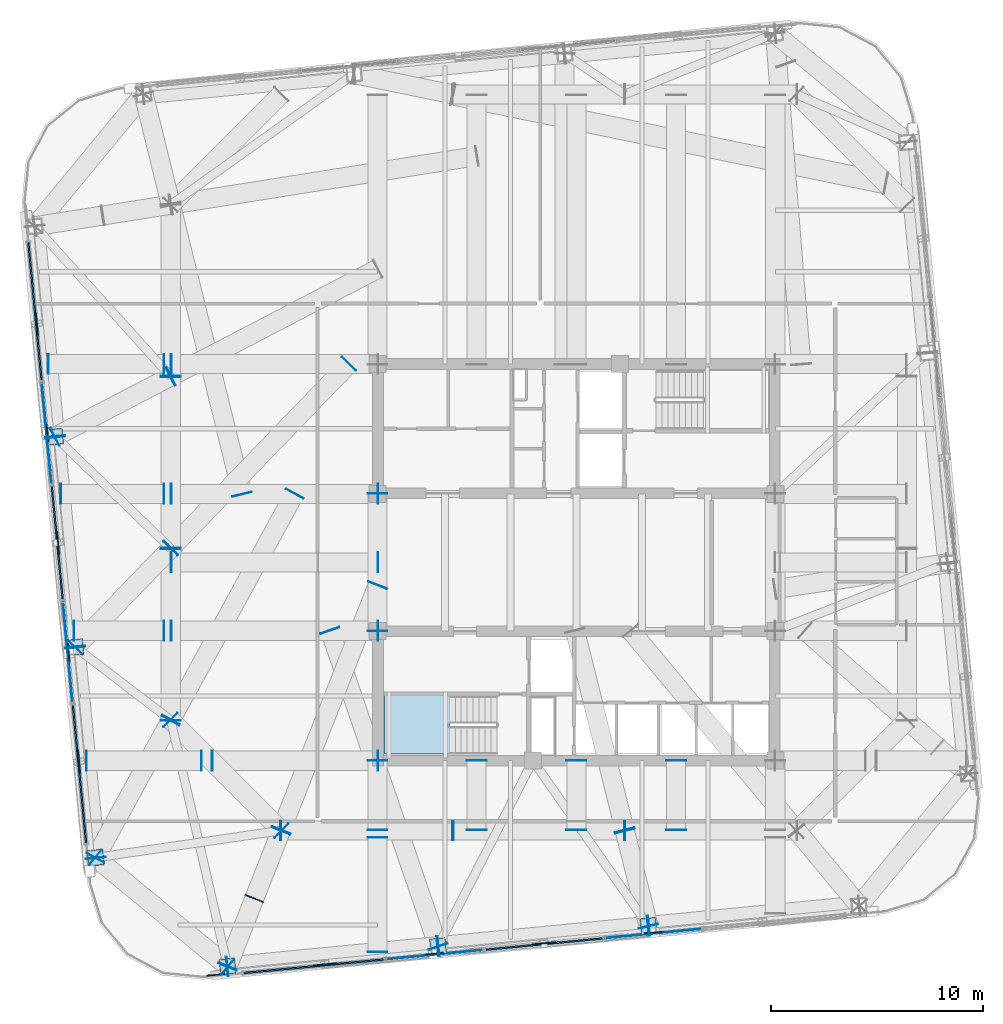
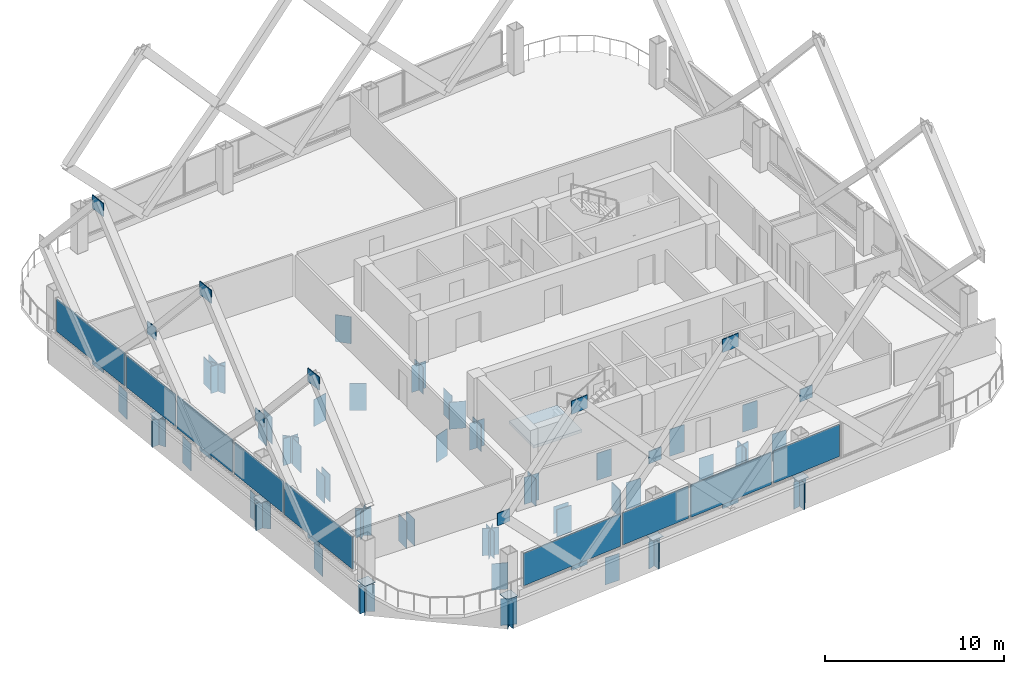
# One storey, part 29 of 37: 106 plates, 1 slab, 10 elements without a shape of their own.
"""IFC4 building model written with IfcOpenShell, lengths in metres."""

from ifc_helpers import new_model, si_unit, direction, frame, origin, origin_2d, place, context, subcontext, project, spatial, polyline, rectangle, outline, extrude, material, layer, layer_set, type_object, element, aggregate, save


model = new_model("IFC4")

# Units and contexts
model_context = context("Model", 3, precision=1e-05, world=origin(), true_north=direction((0.0, 1.0)))
body_context = subcontext(model_context, "Body", "Model", "MODEL_VIEW")
ifc_project = project(units=[si_unit("LENGTHUNIT", "METRE"), si_unit("AREAUNIT", "SQUARE_METRE"), si_unit("VOLUMEUNIT", "CUBIC_METRE"), si_unit("PLANEANGLEUNIT", "RADIAN"), si_unit("MASSUNIT", "GRAM", prefix="KILO")], contexts=[model_context])

# Site, building, storey
site_placement = place(None, origin())
site = spatial("IfcSite", under=ifc_project, at=site_placement, CompositionType="ELEMENT")
building_placement = place(site_placement, origin())
building = spatial("IfcBuilding", under=site, at=building_placement, Name="Qhalaya Broadcast Tower", CompositionType="ELEMENT")
storey_placement = place(building_placement, frame((0.0, 0.0, 156.14990234375)))
storey = spatial("IfcBuildingStorey", under=building, at=storey_placement, Name="L45", CompositionType="ELEMENT", Elevation=156.14990234375)

# Plates
ifc_material_1 = material(Name="Structural Steel ASTM A572 Grade 50", Category="steel")
ifc_layer_1 = layer(ifc_material_1, 0.054931640625, Name="Structural Steel ASTM A572 Grade 50")
ifc_layer_set_1 = layer_set([ifc_layer_1], Name="Structural Steel ASTM A572 Grade 50")
plate_type_1 = type_object("IfcPlateType", Name="Exoskeleton Diamond Node Gusset Plate NP-01", PredefinedType="USERDEFINED", material=ifc_layer_set_1)
for number, where, z_axis, x_axis, name in (
    (1, (-11.84716796875, -18.346923828125, 0.210205078125), (0.0, 0.0, 1.0), (0.995396198367, 0.09584575252, 0.0), "Exoskeleton Diamond Node B4-S1-BOT"),
    (2, (-11.84716796875, -18.346923828125, 10.85009765625), (0.0, 0.0, 1.0), (0.995396198367, 0.09584575252, 0.0), "Exoskeleton Diamond Node B4-S1-TOP"),
):
    element("IfcPlate", number, at=place(storey_placement, frame(where, z_axis=z_axis, x_axis=x_axis)), inside=storey, type_object=plate_type_1, Name=name, ObjectType="GUSSET_PLATE", PredefinedType="USERDEFINED", context=body_context, shape_type="SweptSolid", body=[
        extrude(rectangle(XDim=1.10009765625, YDim=0.054931640625, at=origin_2d()), origin(), (0.0, 0.0, 1.0), 0.89990234375),
    ])
plate_1_placement = place(storey_placement, frame((-17.006591796875, -18.84375, 5.31494140625), z_axis=(0.0, 0.0, 1.0), x_axis=(0.995396198367, 0.09584575252, 0.0)))
element("IfcPlate", 3, at=plate_1_placement, inside=storey, type_object=plate_type_1, Name="Exoskeleton Diamond Node B4-S1-MDL", ObjectType="GUSSET_PLATE", PredefinedType="USERDEFINED", context=body_context, shape_type="SweptSolid", body=[
    extrude(rectangle(XDim=0.85009765625, YDim=0.054931640625, at=origin_2d()), origin(), (0.0, 0.0, 1.0), 0.85009765625),
])
for number, where, z_axis, x_axis, name in (
    (4, (-1.5283203125, -17.353515625, 0.210205078125), (0.0, 0.0, 1.0), (0.995396198367, 0.09584575252, 0.0), "Exoskeleton Diamond Node B4-S2-BOT"),
    (5, (-1.5283203125, -17.353515625, 10.85009765625), (0.0, 0.0, 1.0), (0.995396198367, 0.09584575252, 0.0), "Exoskeleton Diamond Node B4-S2-TOP"),
):
    element("IfcPlate", number, at=place(storey_placement, frame(where, z_axis=z_axis, x_axis=x_axis)), inside=storey, type_object=plate_type_1, Name=name, ObjectType="GUSSET_PLATE", PredefinedType="USERDEFINED", context=body_context, shape_type="SweptSolid", body=[
        extrude(rectangle(XDim=1.10009765625, YDim=0.054931640625, at=origin_2d()), origin(), (0.0, 0.0, 1.0), 0.89990234375),
    ])
for number, where, z_axis, x_axis, name in (
    (6, (-6.687744140625, -17.85009765625, 5.31494140625), (0.0, 0.0, 1.0), (0.995396198367, 0.09584575252, 0.0), "Exoskeleton Diamond Node B4-S2-MDL"),
    (7, (3.63134765625, -16.856689453125, 5.31494140625), (0.0, 0.0, 1.0), (0.995396198367, 0.09584575252, 0.0), "Exoskeleton Diamond Node B4-S3-MDL"),
):
    element("IfcPlate", number, at=place(storey_placement, frame(where, z_axis=z_axis, x_axis=x_axis)), inside=storey, type_object=plate_type_1, Name=name, ObjectType="GUSSET_PLATE", PredefinedType="USERDEFINED", context=body_context, shape_type="SweptSolid", body=[
        extrude(rectangle(XDim=0.85009765625, YDim=0.054931640625, at=origin_2d()), origin(), (0.0, 0.0, 1.0), 0.85009765625),
    ])
for number, where, z_axis, x_axis, name in (
    (8, (-25.427001953125, 11.84716796875, 0.210205078125), (0.0, 0.0, 1.0), (-0.09584575252, 0.995396198367, 0.0), "Exoskeleton Diamond Node B4-W1-BOT"),
    (9, (-25.427001953125, 11.84716796875, 10.85009765625), (0.0, 0.0, 1.0), (-0.09584575252, 0.995396198367, 0.0), "Exoskeleton Diamond Node B4-W1-TOP"),
    (10, (-24.433349609375, 1.5283203125, 0.210205078125), (0.0, 0.0, 1.0), (-0.09584575252, 0.995396198367, 0.0), "Exoskeleton Diamond Node B4-W2-BOT"),
    (11, (-24.433349609375, 1.5283203125, 10.85009765625), (0.0, 0.0, 1.0), (-0.09584575252, 0.995396198367, 0.0), "Exoskeleton Diamond Node B4-W2-TOP"),
):
    element("IfcPlate", number, at=place(storey_placement, frame(where, z_axis=z_axis, x_axis=x_axis)), inside=storey, type_object=plate_type_1, Name=name, ObjectType="GUSSET_PLATE", PredefinedType="USERDEFINED", context=body_context, shape_type="SweptSolid", body=[
        extrude(rectangle(XDim=1.10009765625, YDim=0.054931640625, at=origin_2d()), origin(), (0.0, 0.0, 1.0), 0.89990234375),
    ])
plate_2_placement = place(storey_placement, frame((-24.93017578125, 6.687744140625, 5.31494140625), z_axis=(0.0, 0.0, 1.0), x_axis=(-0.09584575252, 0.995396198367, 0.0)))
element("IfcPlate", 12, at=plate_2_placement, inside=storey, type_object=plate_type_1, Name="Exoskeleton Diamond Node B4-W2-MDL", ObjectType="GUSSET_PLATE", PredefinedType="USERDEFINED", context=body_context, shape_type="SweptSolid", body=[
    extrude(rectangle(XDim=0.85009765625, YDim=0.054931640625, at=origin_2d()), origin(), (0.0, 0.0, 1.0), 0.85009765625),
])
for number, where, z_axis, x_axis, name in (
    (13, (-23.439697265625, -8.790771484375, 0.210205078125), (0.0, 0.0, 1.0), (-0.09584575252, 0.995396198367, 0.0), "Exoskeleton Diamond Node B4-W3-BOT"),
    (14, (-23.439697265625, -8.790771484375, 10.85009765625), (0.0, 0.0, 1.0), (-0.09584575252, 0.995396198367, 0.0), "Exoskeleton Diamond Node B4-W3-TOP"),
):
    element("IfcPlate", number, at=place(storey_placement, frame(where, z_axis=z_axis, x_axis=x_axis)), inside=storey, type_object=plate_type_1, Name=name, ObjectType="GUSSET_PLATE", PredefinedType="USERDEFINED", context=body_context, shape_type="SweptSolid", body=[
        extrude(rectangle(XDim=1.10009765625, YDim=0.054931640625, at=origin_2d()), origin(), (0.0, 0.0, 1.0), 0.89990234375),
    ])
plate_3_placement = place(storey_placement, frame((-23.9365234375, -3.63134765625, 5.31494140625), z_axis=(0.0, 0.0, 1.0), x_axis=(-0.09584575252, 0.995396198367, 0.0)))
element("IfcPlate", 15, at=plate_3_placement, inside=storey, type_object=plate_type_1, Name="Exoskeleton Diamond Node B4-W3-MDL", ObjectType="GUSSET_PLATE", PredefinedType="USERDEFINED", context=body_context, shape_type="SweptSolid", body=[
    extrude(rectangle(XDim=0.85009765625, YDim=0.054931640625, at=origin_2d()), origin(), (0.0, 0.0, 1.0), 0.85009765625),
])
ifc_layer_2 = layer(ifc_material_1, 0.4599609375, Name="Structural Steel ASTM A572 Grade 50")
ifc_layer_set_2 = layer_set([ifc_layer_2], Name="Structural Steel ASTM A572 Grade 50")
plate_type_2 = type_object("IfcPlateType", Name="Hollow Box Member End Cap Plate CP-01", PredefinedType="USERDEFINED", material=ifc_layer_set_2)
for number, where, z_axis, x_axis, name in (
    (16, (-16.4580078125, -18.44921875, -2.0400390625), (0.0, 0.0, 1.0), (-0.09584575252, 0.995396198367, 0.0), "L45 Hollow Girder End Cap L45-SPR-01-A"),
    (17, (-6.50537109375, -17.4912109375, -2.0400390625), (0.0, 0.0, 1.0), (-0.09584575252, 0.995396198367, 0.0), "L45 Hollow Girder End Cap L45-SPR-01-B"),
    (18, (-6.537109375, -17.494140625, -2.0400390625), (0.0, 0.0, 1.0), (-0.09584575252, 0.995396198367, 0.0), "L45 Hollow Girder End Cap L45-SPR-02-A"),
    (19, (3.41552734375, -16.535888671875, -2.0400390625), (0.0, 0.0, 1.0), (-0.09584575252, 0.995396198367, 0.0), "L45 Hollow Girder End Cap L45-SPR-02-B"),
    (20, (3.3837890625, -16.538818359375, -2.0400390625), (0.0, 0.0, 1.0), (-0.09584575252, 0.995396198367, 0.0), "L45 Hollow Girder End Cap L45-SPR-03-A"),
    (21, (-24.571044921875, 6.50537109375, -2.0400390625), (0.0, 0.0, 1.0), (0.995396198367, 0.09584575252, 0.0), "L45 Hollow Girder End Cap L45-SPR-13-B"),
    (22, (-24.57421875, 6.537109375, -2.0400390625), (0.0, 0.0, 1.0), (0.995396198367, 0.09584575252, 0.0), "L45 Hollow Girder End Cap L45-SPR-14-A"),
    (23, (-23.61572265625, -3.41552734375, -2.0400390625), (0.0, 0.0, 1.0), (0.995396198367, 0.09584575252, 0.0), "L45 Hollow Girder End Cap L45-SPR-14-B"),
    (24, (-23.618896484375, -3.3837890625, -2.0400390625), (0.0, 0.0, 1.0), (0.995396198367, 0.09584575252, 0.0), "L45 Hollow Girder End Cap L45-SPR-15-A"),
    (25, (-22.660400390625, -13.336181640625, -2.0400390625), (0.0, 0.0, 1.0), (0.995396198367, 0.09584575252, 0.0), "L45 Hollow Girder End Cap L45-SPR-15-B"),
    (26, (-22.67431640625, -13.310302734375, -2.0400390625), (0.0, 0.0, 1.0), (0.636078220278, 0.771624583388, 0.0), "L45 Hollow Girder End Cap L45-SPR-16-A"),
    (27, (-16.4296875, -18.4580078125, -2.0400390625), (0.0, 0.0, 1.0), (0.636078220278, 0.771624583388, 0.0), "L45 Hollow Girder End Cap L45-SPR-16-B"),
    (28, (-13.93603515625, -12.0400390625, -2.0400390625), (0.0, 0.0, 1.0), (0.0, 1.0, 0.0), "L45 Hollow Girder End Cap L45-TGL-01-A"),
    (29, (-5.803955078125, -12.0400390625, -2.0400390625), (0.0, 0.0, 1.0), (0.0, 1.0, 0.0), "L45 Hollow Girder End Cap L45-TGL-01-B"),
    (30, (-5.8359375, -12.0400390625, -2.0400390625), (0.0, 0.0, 1.0), (0.0, 1.0, 0.0), "L45 Hollow Girder End Cap L45-TGL-02-A"),
    (31, (2.2958984375, -12.0400390625, -2.0400390625), (0.0, 0.0, 1.0), (0.0, 1.0, 0.0), "L45 Hollow Girder End Cap L45-TGL-02-B"),
    (32, (2.263916015625, -12.0400390625, -2.0400390625), (0.0, 0.0, 1.0), (0.0, 1.0, 0.0), "L45 Hollow Girder End Cap L45-TGL-03-A"),
    (33, (-19.1201171875, 9.343994140625, -2.0400390625), (0.0, 0.0, 1.0), (1.0, 0.0, 0.0), "L45 Hollow Girder End Cap L45-TGL-13-B"),
    (34, (-19.1201171875, 9.3759765625, -2.0400390625), (0.0, 0.0, 1.0), (1.0, 0.0, 0.0), "L45 Hollow Girder End Cap L45-TGL-14-A"),
    (35, (-19.1201171875, 1.243896484375, -2.0400390625), (0.0, 0.0, 1.0), (1.0, 0.0, 0.0), "L45 Hollow Girder End Cap L45-TGL-14-B"),
    (36, (-19.1201171875, 1.27587890625, -2.0400390625), (0.0, 0.0, 1.0), (1.0, 0.0, 0.0), "L45 Hollow Girder End Cap L45-TGL-15-A"),
    (37, (-19.1201171875, -6.85595703125, -2.0400390625), (0.0, 0.0, 1.0), (1.0, 0.0, 0.0), "L45 Hollow Girder End Cap L45-TGL-15-B"),
    (38, (-19.13134765625, -6.82861328125, -2.0400390625), (0.0, 0.0, 1.0), (0.707106781187, 0.707106781187, 0.0), "L45 Hollow Girder End Cap L45-TGL-16-A"),
    (39, (-13.90869140625, -12.05126953125, -2.0400390625), (0.0, 0.0, 1.0), (0.707106781187, 0.707106781187, 0.0), "L45 Hollow Girder End Cap L45-TGL-16-B"),
    (40, (0.0, -12.01611328125, -2.0400390625), (0.0, 0.0, 1.0), (-1.0, 0.0, 0.0), "L45 Hollow Girder End Cap L45-TGIMS-1-A"),
    (41, (0.0, -8.73388671875, -2.0400390625), (0.0, 0.0, 1.0), (-1.0, 0.0, 0.0), "L45 Hollow Girder End Cap L45-TGIMS-1-B"),
    (42, (-4.699951171875, -12.01611328125, -2.0400390625), (0.0, 0.0, 1.0), (-1.0, 0.0, 0.0), "L45 Hollow Girder End Cap L45-TGIMSW-1-A"),
    (43, (-4.699951171875, -8.73388671875, -2.0400390625), (0.0, 0.0, 1.0), (-1.0, 0.0, 0.0), "L45 Hollow Girder End Cap L45-TGIMSW-1-B"),
    (44, (4.699951171875, -12.01611328125, -2.0400390625), (0.0, 0.0, 1.0), (-1.0, 0.0, 0.0), "L45 Hollow Girder End Cap L45-TGIMSE-1-A"),
    (45, (4.699951171875, -8.73388671875, -2.0400390625), (0.0, 0.0, 1.0), (-1.0, 0.0, 0.0), "L45 Hollow Girder End Cap L45-TGIMSE-1-B"),
    (46, (-19.095947265625, 0.60009765625, -2.0400390625), (0.0, 0.0, 1.0), (0.0, 1.0, 0.0), "L45 Hollow Girder End Cap L45-TGIYW-1-A"),
    (47, (-9.35888671875, 0.60009765625, -2.0400390625), (0.0, 0.0, 1.0), (0.0, 1.0, 0.0), "L45 Hollow Girder End Cap L45-TGIYW-1-B"),
    (48, (-9.375, -12.01611328125, -2.0400390625), (0.0, 0.0, 1.0), (-1.0, 0.0, 0.0), "L45 Hollow Girder End Cap L45-TGISW-1-A"),
    (49, (-9.375, -8.73388671875, -2.0400390625), (0.0, 0.0, 1.0), (-1.0, 0.0, 0.0), "L45 Hollow Girder End Cap L45-TGISW-1-B"),
    (50, (-9.375, -2.64111328125, -2.0400390625), (0.0, 0.0, 1.0), (-1.0, 0.0, 0.0), "L45 Hollow Girder End Cap L45-TGIMW-1-A"),
    (51, (-9.375, 3.841064453125, -2.0400390625), (0.0, 0.0, 1.0), (-1.0, 0.0, 0.0), "L45 Hollow Girder End Cap L45-TGIMW-1-B"),
    (52, (-17.16943359375, -8.75, -2.0400390625), (0.0, 0.0, 1.0), (0.0, 1.0, 0.0), "L45 Hollow Girder End Cap L45-TGIY1W-1-A"),
    (53, (-9.35888671875, -8.75, -2.0400390625), (0.0, 0.0, 1.0), (0.0, 1.0, 0.0), "L45 Hollow Girder End Cap L45-TGIY1W-1-B"),
    (54, (-19.095947265625, -2.625, -2.0400390625), (0.0, 0.0, 1.0), (0.0, 1.0, 0.0), "L45 Hollow Girder End Cap L45-TGIY2W-1-A"),
    (55, (-9.35888671875, -2.625, -2.0400390625), (0.0, 0.0, 1.0), (0.0, 1.0, 0.0), "L45 Hollow Girder End Cap L45-TGIY2W-1-B"),
    (56, (-19.095947265625, 3.824951171875, -2.0400390625), (0.0, 0.0, 1.0), (0.0, 1.0, 0.0), "L45 Hollow Girder End Cap L45-TGIY3W-1-A"),
    (57, (-9.35888671875, 3.824951171875, -2.0400390625), (0.0, 0.0, 1.0), (0.0, 1.0, 0.0), "L45 Hollow Girder End Cap L45-TGIY3W-1-B"),
    (58, (-19.095947265625, 9.949951171875, -2.0400390625), (0.0, 0.0, 1.0), (0.0, 1.0, 0.0), "L45 Hollow Girder End Cap L45-TGIY4W-1-A"),
    (59, (-9.369140625, -0.477294921875, -2.0400390625), (0.0, 0.0, 1.0), (0.930519878153, -0.366241390838, 0.0), "L45 Hollow Girder End Cap L45-TGA-01-A"),
    (60, (-13.92578125, -12.054931640625, -2.0400390625), (0.0, 0.0, 1.0), (0.930519878153, -0.366241390838, 0.0), "L45 Hollow Girder End Cap L45-TGA-01-B"),
    (61, (-13.9140625, -12.025146484375, -2.0400390625), (0.0, 0.0, 1.0), (0.930519878153, -0.366241390838, 0.0), "L45 Hollow Girder End Cap L45-TGC-01-A"),
    (62, (-16.447998046875, -18.462646484375, -2.0400390625), (0.0, 0.0, 1.0), (0.930519878153, -0.366241390838, 0.0), "L45 Hollow Girder End Cap L45-TGC-01-B"),
):
    element("IfcPlate", number, at=place(storey_placement, frame(where, z_axis=z_axis, x_axis=x_axis)), inside=storey, type_object=plate_type_2, Name=name, ObjectType="COVER_PLATE", PredefinedType="USERDEFINED", context=body_context, shape_type="SweptSolid", body=[
        extrude(rectangle(XDim=0.93994140625, YDim=0.031982421875, at=origin_2d()), origin(), (0.0, 0.0, 1.0), 1.840087890625),
    ])
plate_4_placement = place(storey_placement, frame((-16.44189453125, -18.44775390625, -2.02001953125), z_axis=(0.0, 0.0, 1.0), x_axis=(0.930519878153, -0.366241390838, 0.0)))
element("IfcPlate", 63, at=plate_4_placement, inside=storey, type_object=plate_type_2, Name="L45 Transfer Box End Cap 01", ObjectType="COVER_PLATE", PredefinedType="USERDEFINED", context=body_context, shape_type="SweptSolid", body=[
    extrude(rectangle(XDim=0.919921875, YDim=0.035888671875, at=origin_2d()), origin(), (0.0, 0.0, 1.0), 1.800048828125),
])
for number, where, z_axis, x_axis, name in (
    (64, (-11.617431640625, -2.60986328125, -2.0400390625), (0.0, 0.0, 1.0), (0.9460740514, 0.32395044261, 0.0), "L45 Hollow Girder End Cap L45-TGA-02-A"),
    (65, (-6.51611328125, -17.5078125, -2.0400390625), (0.0, 0.0, 1.0), (0.9460740514, 0.32395044261, 0.0), "L45 Hollow Girder End Cap L45-TGA-02-B"),
    (66, (2.283935546875, -12.055419921875, -2.0400390625), (0.0, 0.0, 1.0), (0.970380113833, 0.241583183765, 0.0), "L45 Hollow Girder End Cap L45-TGA-03-B"),
    (67, (2.276123046875, -12.0244140625, -2.0400390625), (0.0, 0.0, 1.0), (0.970380113833, 0.241583183765, 0.0), "L45 Hollow Girder End Cap L45-TGC-03-A"),
    (68, (3.403564453125, -16.552734375, -2.0400390625), (0.0, 0.0, 1.0), (0.970380113833, 0.241583183765, 0.0), "L45 Hollow Girder End Cap L45-TGC-03-B"),
    (69, (-15.760009765625, 3.8095703125, -2.0400390625), (0.0, 0.0, 1.0), (-0.971017594513, -0.239008014815, 0.0), "L45 Hollow Girder End Cap L45-TGA-12-A"),
    (70, (-19.13427734375, 9.3525390625, -2.0400390625), (0.0, 0.0, 1.0), (0.461795056381, -0.886986654861, 0.0), "L45 Hollow Girder End Cap L45-TGA-14-B"),
    (71, (-19.105712890625, 9.367431640625, -2.0400390625), (0.0, 0.0, 1.0), (0.461795056381, -0.886986654861, 0.0), "L45 Hollow Girder End Cap L45-TGC-14-A"),
    (72, (-24.5869140625, 6.513916015625, -2.0400390625), (0.0, 0.0, 1.0), (0.461795056381, -0.886986654861, 0.0), "L45 Hollow Girder End Cap L45-TGC-14-B"),
    (73, (-10.7216796875, 9.96142578125, -2.0400390625), (0.0, 0.0, 1.0), (0.719521636821, -0.694470023936, 0.0), "L45 Hollow Girder End Cap L45-TGA-15-A"),
    (74, (-19.131103515625, 1.24853515625, -2.0400390625), (0.0, 0.0, 1.0), (0.719521636821, -0.694470023936, 0.0), "L45 Hollow Girder End Cap L45-TGA-15-B"),
    (75, (-19.10888671875, 1.271484375, -2.0400390625), (0.0, 0.0, 1.0), (0.719521636821, -0.694470023936, 0.0), "L45 Hollow Girder End Cap L45-TGC-15-A"),
    (76, (-23.62841796875, -3.4111328125, -2.0400390625), (0.0, 0.0, 1.0), (0.719521636821, -0.694470023936, 0.0), "L45 Hollow Girder End Cap L45-TGC-15-B"),
    (77, (-13.283203125, 3.839111328125, -2.0400390625), (0.0, 0.0, 1.0), (0.87748120917, -0.479611016922, 0.0), "L45 Hollow Girder End Cap L45-TGA-16-A"),
    (78, (-19.127685546875, -6.85400390625, -2.0400390625), (0.0, 0.0, 1.0), (0.87748120917, -0.479611016922, 0.0), "L45 Hollow Girder End Cap L45-TGA-16-B"),
    (79, (-19.1123046875, -6.825927734375, -2.0400390625), (0.0, 0.0, 1.0), (0.87748120917, -0.479611016922, 0.0), "L45 Hollow Girder End Cap L45-TGC-16-A"),
    (80, (-22.669677734375, -13.33447265625, -2.0400390625), (0.0, 0.0, 1.0), (0.87748120917, -0.479611016922, 0.0), "L45 Hollow Girder End Cap L45-TGC-16-B"),
    (81, (-9.375, -17.76318359375, -2.0400390625), (0.0, 0.0, 1.0), (-1.0, 0.0, 0.0), "L45 Hollow Girder End Cap L45-PGXS1-OV1-A"),
    (82, (-9.375, -12.364013671875, -2.0400390625), (0.0, 0.0, 1.0), (-1.0, 0.0, 0.0), "L45 Hollow Girder End Cap L45-PGXS1-OV1-B"),
    (83, (-23.097900390625, -8.75, -2.0400390625), (0.0, 0.0, 1.0), (0.0, 1.0, 0.0), "L45 Hollow Girder End Cap L45-PGYW1-OV1-A"),
    (84, (-17.6748046875, -8.75, -2.0400390625), (0.0, 0.0, 1.0), (0.0, 1.0, 0.0), "L45 Hollow Girder End Cap L45-PGYW1-OV1-B"),
    (85, (-23.687744140625, -2.625, -2.0400390625), (0.0, 0.0, 1.0), (0.0, 1.0, 0.0), "L45 Hollow Girder End Cap L45-PGYW2-OV1-A"),
    (86, (-19.444091796875, -2.625, -2.0400390625), (0.0, 0.0, 1.0), (0.0, 1.0, 0.0), "L45 Hollow Girder End Cap L45-PGYW2-OV1-B"),
    (87, (-24.308837890625, 3.824951171875, -2.0400390625), (0.0, 0.0, 1.0), (0.0, 1.0, 0.0), "L45 Hollow Girder End Cap L45-PGYW3-OV1-A"),
    (88, (-19.444091796875, 3.824951171875, -2.0400390625), (0.0, 0.0, 1.0), (0.0, 1.0, 0.0), "L45 Hollow Girder End Cap L45-PGYW3-OV1-B"),
    (89, (-24.898681640625, 9.949951171875, -2.0400390625), (0.0, 0.0, 1.0), (0.0, 1.0, 0.0), "L45 Hollow Girder End Cap L45-PGYW4-OV1-A"),
    (90, (-19.444091796875, 9.949951171875, -2.0400390625), (0.0, 0.0, 1.0), (0.0, 1.0, 0.0), "L45 Hollow Girder End Cap L45-PGYW4-OV1-B"),
):
    element("IfcPlate", number, at=place(storey_placement, frame(where, z_axis=z_axis, x_axis=x_axis)), inside=storey, type_object=plate_type_2, Name=name, ObjectType="COVER_PLATE", PredefinedType="USERDEFINED", context=body_context, shape_type="SweptSolid", body=[
        extrude(rectangle(XDim=0.93994140625, YDim=0.031982421875, at=origin_2d()), origin(), (0.0, 0.0, 1.0), 1.840087890625),
    ])
for number, where, z_axis, x_axis, name in (
    (91, (-16.44189453125, -18.44775390625, -0.03173828125), (0.0, 0.0, 1.0), (0.995396198367, 0.09584575252, 0.0), "L45 Hollow Box Column Base Cap Plate COL-EX01"),
    (92, (-6.521240234375, -17.49267578125, -0.03173828125), (0.0, 0.0, 1.0), (0.995396198367, 0.09584575252, 0.0), "L45 Hollow Box Column Base Cap Plate COL-EX02"),
    (93, (3.399658203125, -16.537353515625, -0.03173828125), (0.0, 0.0, 1.0), (0.995396198367, 0.09584575252, 0.0), "L45 Hollow Box Column Base Cap Plate COL-EX03"),
    (94, (-24.572509765625, 6.521240234375, -0.03173828125), (0.0, 0.0, 1.0), (-0.09584575252, 0.995396198367, 0.0), "L45 Hollow Box Column Base Cap Plate COL-EX14"),
    (95, (-23.6171875, -3.399658203125, -0.03173828125), (0.0, 0.0, 1.0), (-0.09584575252, 0.995396198367, 0.0), "L45 Hollow Box Column Base Cap Plate COL-EX15"),
    (96, (-22.662109375, -13.3203125, -0.03173828125), (0.0, 0.0, 1.0), (-0.09584575252, 0.995396198367, 0.0), "L45 Hollow Box Column Base Cap Plate COL-EX16"),
):
    element("IfcPlate", number, at=place(storey_placement, frame(where, z_axis=z_axis, x_axis=x_axis)), inside=storey, type_object=plate_type_2, Name=name, ObjectType="COVER_PLATE", PredefinedType="USERDEFINED", context=body_context, shape_type="SweptSolid", body=[
        extrude(rectangle(XDim=0.739990234375, YDim=0.739990234375, at=origin_2d()), origin(), (0.0, 0.0, 1.0), 0.031982421875),
    ])

# Curtain wall, plate
ifc_material_2 = material(Name="Fired Architectural Terracotta", Category="masonry")
ifc_layer_3 = layer(ifc_material_2, 0.219970703125, Name="Fired Architectural Terracotta")
ifc_layer_set_3 = layer_set([ifc_layer_3], Name="Fired Architectural Terracotta")
curtain_wall_type_1 = type_object("IfcCurtainWallType", Name="Block-Cap Unitised Terracotta Spandrel Wall CW-07", PredefinedType="NOTDEFINED", material=ifc_layer_set_3)
curtain_wall_1_placement = place(storey_placement, origin())
curtain_wall_1 = element("IfcCurtainWall", 97, at=curtain_wall_1_placement, inside=storey, type_object=curtain_wall_type_1, Name="L45 Unitised Curtain Wall L45-CW-S1", PredefinedType="NOTDEFINED")
ifc_layer_4 = layer(ifc_material_2, 0.080078125, Name="Fired Architectural Terracotta")
ifc_layer_set_4 = layer_set([ifc_layer_4], Name="Fired Architectural Terracotta")
plate_type_3 = type_object("IfcPlateType", Name="Insulated Terracotta Spandrel Panel TSP-07", PredefinedType="CURTAIN_PANEL", material=ifc_layer_set_4)
plate_5_placement = place(storey_placement, frame((-12.384033203125, -18.43896484375, 0.55517578125), z_axis=(0.0, 0.0, 1.0), x_axis=(0.99539669829, 0.095840560477, 0.0)))
plate_5 = element("IfcPlate", 98, at=plate_5_placement, type_object=plate_type_3, Name="CW-07 panel 1.1", PredefinedType="CURTAIN_PANEL", context=body_context, shape_type="SweptSolid", body=[
    extrude(rectangle(XDim=6.630126953125, YDim=0.080078125, at=origin_2d()), origin(), (0.0, 0.0, 1.0), 2.199951171875),
])
aggregate(curtain_wall_1, [plate_5])

curtain_wall_2_placement = place(storey_placement, origin())
curtain_wall_2 = element("IfcCurtainWall", 99, at=curtain_wall_2_placement, inside=storey, type_object=curtain_wall_type_1, Name="L45 Unitised Curtain Wall L45-CW-S3", PredefinedType="NOTDEFINED")
plate_6_placement = place(storey_placement, frame((-1.5244140625, -17.393310546875, 0.55517578125), z_axis=(0.0, 0.0, 1.0), x_axis=(0.995395435525, 0.095853674613, 0.0)))
plate_6 = element("IfcPlate", 100, at=plate_6_placement, type_object=plate_type_3, Name="CW-07 panel 1.1", PredefinedType="CURTAIN_PANEL", context=body_context, shape_type="SweptSolid", body=[
    extrude(rectangle(XDim=5.5419921875, YDim=0.080078125, at=origin_2d()), origin(), (0.0, 0.0, 1.0), 2.199951171875),
])
aggregate(curtain_wall_2, [plate_6])

curtain_wall_3_placement = place(storey_placement, origin())
curtain_wall_3 = element("IfcCurtainWall", 101, at=curtain_wall_3_placement, inside=storey, type_object=curtain_wall_type_1, Name="L45 Unitised Curtain Wall L45-CW-W1", PredefinedType="NOTDEFINED")
plate_7_placement = place(storey_placement, frame((-25.5234375, 12.430908203125, 0.55517578125), z_axis=(0.0, 0.0, 1.0), x_axis=(0.095842362816, -0.995396524753, 0.0)))
plate_7 = element("IfcPlate", 102, at=plate_7_placement, type_object=plate_type_3, Name="CW-07 panel 1.1", PredefinedType="CURTAIN_PANEL", context=body_context, shape_type="SweptSolid", body=[
    extrude(rectangle(XDim=6.535888671875, YDim=0.080078125, at=origin_2d()), origin(), (0.0, 0.0, 1.0), 2.199951171875),
])
aggregate(curtain_wall_3, [plate_7])

curtain_wall_4_placement = place(storey_placement, origin())
curtain_wall_4 = element("IfcCurtainWall", 103, at=curtain_wall_4_placement, inside=storey, type_object=curtain_wall_type_1, Name="L45 Unitised Curtain Wall L45-CW-W3", PredefinedType="NOTDEFINED")
plate_8_placement = place(storey_placement, frame((-24.47314453125, 1.5244140625, 0.55517578125), z_axis=(0.0, 0.0, 1.0), x_axis=(0.095858099514, -0.99539500941, 0.0)))
plate_8 = element("IfcPlate", 104, at=plate_8_placement, type_object=plate_type_3, Name="CW-07 panel 1.1", PredefinedType="CURTAIN_PANEL", context=body_context, shape_type="SweptSolid", body=[
    extrude(rectangle(XDim=5.35595703125, YDim=0.080078125, at=origin_2d()), origin(), (0.0, 0.0, 1.0), 2.199951171875),
])
aggregate(curtain_wall_4, [plate_8])

curtain_wall_5_placement = place(storey_placement, origin())
curtain_wall_5 = element("IfcCurtainWall", 105, at=curtain_wall_5_placement, inside=storey, type_object=curtain_wall_type_1, Name="L45 Unitised Curtain Wall L45-CW-W5", PredefinedType="NOTDEFINED")
plate_9_placement = place(storey_placement, frame((-23.423095703125, -9.382080078125, 0.55517578125), z_axis=(0.0, 0.0, 1.0), x_axis=(0.095842362816, -0.995396524753, 0.0)))
plate_9 = element("IfcPlate", 106, at=plate_9_placement, type_object=plate_type_3, Name="CW-07 panel 1.1", PredefinedType="CURTAIN_PANEL", context=body_context, shape_type="SweptSolid", body=[
    extrude(rectangle(XDim=6.535888671875, YDim=0.080078125, at=origin_2d()), origin(), (0.0, 0.0, 1.0), 2.199951171875),
])
aggregate(curtain_wall_5, [plate_9])

ifc_material_3 = material(Name="Solar-Control Low-E Triple Glazing", Category="glass")
ifc_layer_5 = layer(ifc_material_3, 0.219970703125, Name="Solar-Control Low-E Triple Glazing")
ifc_layer_set_5 = layer_set([ifc_layer_5], Name="Solar-Control Low-E Triple Glazing")
curtain_wall_type_2 = type_object("IfcCurtainWallType", Name="Even-Block 4-Storey Double-Module Curtain Wall CW-03", PredefinedType="NOTDEFINED", material=ifc_layer_set_5)
curtain_wall_6_placement = place(storey_placement, origin())
curtain_wall_6 = element("IfcCurtainWall", 107, at=curtain_wall_6_placement, inside=storey, type_object=curtain_wall_type_2, Name="L45 Unitised Curtain Wall L45-CW-S2", PredefinedType="NOTDEFINED")
ifc_layer_6 = layer(ifc_material_3, 0.035888671875, Name="Solar-Control Low-E Triple Glazing")
ifc_layer_set_6 = layer_set([ifc_layer_6], Name="Solar-Control Low-E Triple Glazing")
plate_type_4 = type_object("IfcPlateType", Name="Solar-Control Curtain Glazing Panel GLP-03", PredefinedType="CURTAIN_PANEL", material=ifc_layer_set_6)
plate_10_placement = place(storey_placement, frame((-6.683349609375, -17.889892578125, 0.55517578125), z_axis=(0.0, 0.0, 1.0), x_axis=(0.995395888038, 0.095848975357, 0.0)))
plate_10 = element("IfcPlate", 108, at=plate_10_placement, type_object=plate_type_4, Name="CW-03 panel 1.1", PredefinedType="CURTAIN_PANEL", context=body_context, shape_type="SweptSolid", body=[
    extrude(rectangle(XDim=4.52392578125, YDim=0.035888671875, at=origin_2d()), origin(), (0.0, 0.0, 1.0), 2.199951171875),
])
aggregate(curtain_wall_6, [plate_10])

curtain_wall_7_placement = place(storey_placement, origin())
curtain_wall_7 = element("IfcCurtainWall", 109, at=curtain_wall_7_placement, inside=storey, type_object=curtain_wall_type_2, Name="L45 Unitised Curtain Wall L45-CW-S4", PredefinedType="NOTDEFINED")
plate_11_placement = place(storey_placement, frame((3.634765625, -16.896484375, 0.55517578125), z_axis=(0.0, 0.0, 1.0), x_axis=(0.995395691478, 0.095851016624, 0.0)))
plate_11 = element("IfcPlate", 110, at=plate_11_placement, type_object=plate_type_4, Name="CW-03 panel 1.1", PredefinedType="CURTAIN_PANEL", context=body_context, shape_type="SweptSolid", body=[
    extrude(rectangle(XDim=4.52392578125, YDim=0.035888671875, at=origin_2d()), origin(), (0.0, 0.0, 1.0), 2.199951171875),
])
aggregate(curtain_wall_7, [plate_11])

curtain_wall_8_placement = place(storey_placement, origin())
curtain_wall_8 = element("IfcCurtainWall", 111, at=curtain_wall_8_placement, inside=storey, type_object=curtain_wall_type_2, Name="L45 Unitised Curtain Wall L45-CW-W2", PredefinedType="NOTDEFINED")
plate_12_placement = place(storey_placement, frame((-24.969970703125, 6.68408203125, 0.55517578125), z_axis=(0.0, 0.0, 1.0), x_axis=(0.095844898762, -0.995396280574, 0.0)))
plate_12 = element("IfcPlate", 112, at=plate_12_placement, type_object=plate_type_4, Name="CW-03 panel 1.1", PredefinedType="CURTAIN_PANEL", context=body_context, shape_type="SweptSolid", body=[
    extrude(rectangle(XDim=4.7109375, YDim=0.035888671875, at=origin_2d()), origin(), (0.0, 0.0, 1.0), 2.199951171875),
])
aggregate(curtain_wall_8, [plate_12])

curtain_wall_9_placement = place(storey_placement, origin())
curtain_wall_9 = element("IfcCurtainWall", 113, at=curtain_wall_9_placement, inside=storey, type_object=curtain_wall_type_2, Name="L45 Unitised Curtain Wall L45-CW-W4", PredefinedType="NOTDEFINED")
plate_13_placement = place(storey_placement, frame((-23.976318359375, -3.63525390625, 0.55517578125), z_axis=(0.0, 0.0, 1.0), x_axis=(0.095844898762, -0.995396280574, 0.0)))
plate_13 = element("IfcPlate", 114, at=plate_13_placement, type_object=plate_type_4, Name="CW-03 panel 1.1", PredefinedType="CURTAIN_PANEL", context=body_context, shape_type="SweptSolid", body=[
    extrude(rectangle(XDim=4.7109375, YDim=0.035888671875, at=origin_2d()), origin(), (0.0, 0.0, 1.0), 2.199951171875),
])
aggregate(curtain_wall_9, [plate_13])

# Stair, slab
ifc_material_4 = material(Name="Concrete C40/50", Category="concrete")
stair_type = type_object("IfcStairType", Name="Protected Dogleg Core Stair 3150", PredefinedType="TWO_STRAIGHT_RUN_STAIR", material=ifc_material_4)
stair_placement = place(storey_placement, origin())
stair = element("IfcStair", 115, at=stair_placement, inside=storey, type_object=stair_type, Name="L45 South Core Exit Stair ST-2", PredefinedType="TWO_STRAIGHT_RUN_STAIR")
ifc_layer_7 = layer(ifc_material_4, 0.199951171875, Name="Concrete C40/50")
ifc_layer_set_7 = layer_set([ifc_layer_7], Name="Concrete C40/50")
slab_type = type_object("IfcSlabType", Name="Stair & Ramp Half-Landing Slab 200", PredefinedType="LANDING", material=ifc_layer_set_7)
slab_placement = place(storey_placement, frame((0.0, 0.0, 1.3251953125)))
slab = element("IfcSlab", 116, at=slab_placement, type_object=slab_type, Name="ST-2 landing 1", PredefinedType="LANDING", context=body_context, shape_type="SweptSolid", body=[
    extrude(outline(polyline([(-5.955078125, -5.679931640625), (-9.050048828125, -5.679931640625), (-9.050048828125, -8.43994140625), (-5.955078125, -8.43994140625), (-5.955078125, -5.679931640625)])), origin(), (0.0, 0.0, 1.0), 0.199951171875),
])
aggregate(stair, [slab])

# Plate
ifc_layer_8 = layer(ifc_material_1, 0.044921875, Name="Structural Steel ASTM A572 Grade 50")
ifc_layer_set_8 = layer_set([ifc_layer_8], Name="Structural Steel ASTM A572 Grade 50")
plate_type_5 = type_object("IfcPlateType", Name="Transfer Girder Web Stiffener Plate WS-01", PredefinedType="USERDEFINED", material=ifc_layer_set_8)
plate_14_placement = place(storey_placement, frame((-15.180908203125, -15.243896484375, -2.02001953125), z_axis=(0.0, 0.0, 1.0), x_axis=(0.930519878153, -0.366241390838, 0.0)))
element("IfcPlate", 117, at=plate_14_placement, inside=storey, type_object=plate_type_5, Name="L45 Transfer Girder Stiffener 01", ObjectType="STIFFENER_PLATE", PredefinedType="USERDEFINED", context=body_context, shape_type="SweptSolid", body=[
    extrude(rectangle(XDim=0.93994140625, YDim=0.044921875, at=origin_2d()), origin(), (0.0, 0.0, 1.0), 1.800048828125),
])

save(model, "model.ifc")
